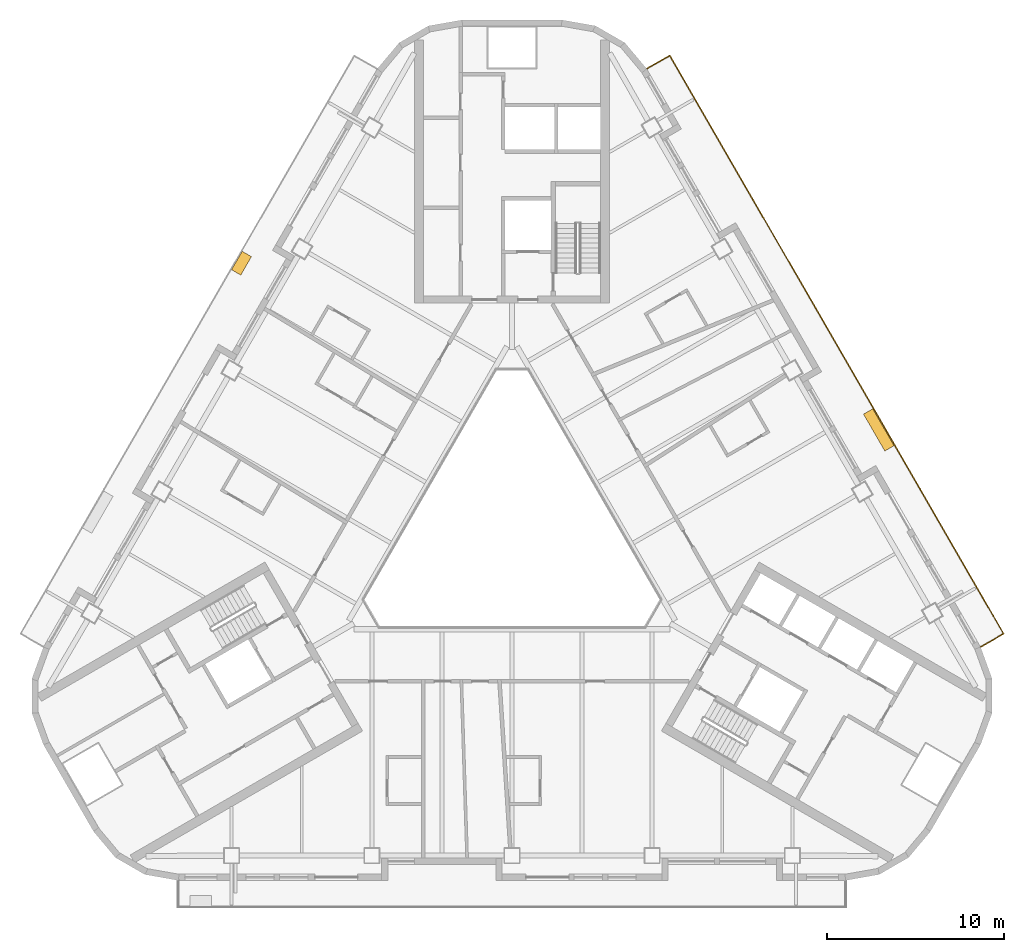
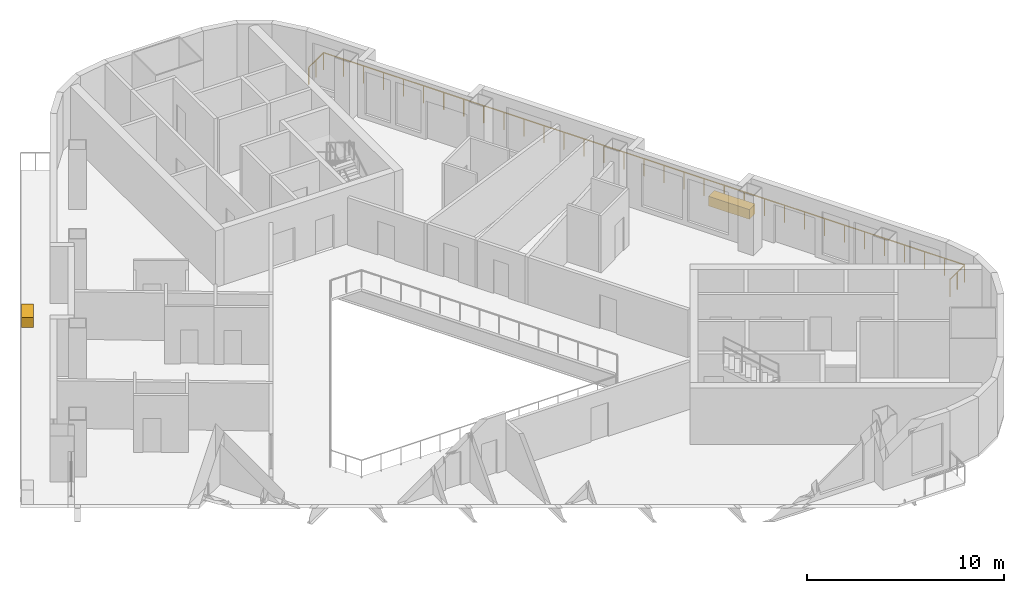
# One storey, part 12 of 13: 2 coverings, 1 railing.
"""IFC4 building model written with IfcOpenShell, lengths in metres."""

from ifc_helpers import new_model, si_unit, direction, frame, origin, origin_2d, place, context, subcontext, project, spatial, rectangle, extrude, material, type_object, element, save


model = new_model("IFC4")

# Units and contexts
model_context = context("Model", 3, precision=1e-05, world=origin(), true_north=direction((0.0, 1.0)))
body_context = subcontext(model_context, "Body", "Model", "MODEL_VIEW")
ifc_project = project(units=[si_unit("LENGTHUNIT", "METRE"), si_unit("AREAUNIT", "SQUARE_METRE"), si_unit("VOLUMEUNIT", "CUBIC_METRE"), si_unit("PLANEANGLEUNIT", "RADIAN"), si_unit("MASSUNIT", "GRAM", prefix="KILO")], contexts=[model_context])

# Site, building, storey
site_placement = place(None, origin())
site = spatial("IfcSite", under=ifc_project, at=site_placement, CompositionType="ELEMENT")
building_placement = place(site_placement, origin())
building = spatial("IfcBuilding", under=site, at=building_placement, Name="Apuvela Tower Hotel", CompositionType="ELEMENT")
storey_placement = place(building_placement, frame((0.0, 0.0, 102.0)))
storey = spatial("IfcBuildingStorey", under=building, at=storey_placement, Name="L23", CompositionType="ELEMENT", Elevation=102.0)

# Railing
ifc_material_1 = material(Name="Stainless steel 316 rail with laminated glass infill", Category="steel")
railing_type = type_object("IfcRailingType", Name="ENV-GUARD-1100", PredefinedType="GUARDRAIL", material=ifc_material_1)
railing_placement = place(storey_placement, frame((26.407958984375, -6.47998046875, 0.0)))
element("IfcRailing", 1, at=railing_placement, inside=storey, type_object=railing_type, Name="Balcony guard NE L23", PredefinedType="GUARDRAIL", context=body_context, shape_type="SweptSolid", body=[
    extrude(rectangle(XDim=0.050048828125, YDim=0.050048828125, at=origin_2d()), frame((0.0, 0.0, 1.0751953125), z_axis=(0.866031096941, 0.499990139034, 0.0), x_axis=(-0.499990139034, 0.866031096941, 0.0)), (0.0, 0.0, 1.0), 1.5),
    extrude(rectangle(XDim=0.050048828125, YDim=0.050048828125, at=origin_2d()), frame((1.299072265625, 0.75, 1.0751953125), z_axis=(-0.500000437506, 0.86602515119, 0.0), x_axis=(-0.86602515119, -0.500000437506, 0.0)), (0.0, 0.0, 1.0), 37.6318359375),
    extrude(rectangle(XDim=0.050048828125, YDim=0.050048828125, at=origin_2d()), frame((-17.516845703125, 33.340087890625, 1.0751953125), z_axis=(-0.86599040064, -0.500060622324, 0.0), x_axis=(0.500060622324, -0.86599040064, 0.0)), (0.0, 0.0, 1.0), 1.499755859375),
    extrude(rectangle(XDim=0.0400390625, YDim=0.0400390625, at=origin_2d()), origin(), (0.0, 0.0, 1.0), 1.050048828125),
    extrude(rectangle(XDim=0.0400390625, YDim=0.0400390625, at=origin_2d()), frame((0.6494140625, 0.375, 0.0)), (0.0, 0.0, 1.0), 1.050048828125),
    extrude(rectangle(XDim=0.0400390625, YDim=0.0400390625, at=origin_2d()), frame((1.299072265625, 0.75, 0.0)), (0.0, 0.0, 1.0), 1.050048828125),
    extrude(rectangle(XDim=0.0400390625, YDim=0.0400390625, at=origin_2d()), frame((0.711181640625, 1.7685546875, 0.0)), (0.0, 0.0, 1.0), 1.050048828125),
    extrude(rectangle(XDim=0.0400390625, YDim=0.0400390625, at=origin_2d()), frame((0.123046875, 2.786865234375, 0.0)), (0.0, 0.0, 1.0), 1.050048828125),
    extrude(rectangle(XDim=0.0400390625, YDim=0.0400390625, at=origin_2d()), frame((-0.46484375, 3.805419921875, 0.0)), (0.0, 0.0, 1.0), 1.050048828125),
    extrude(rectangle(XDim=0.0400390625, YDim=0.0400390625, at=origin_2d()), frame((-1.052978515625, 4.82373046875, 0.0)), (0.0, 0.0, 1.0), 1.050048828125),
    extrude(rectangle(XDim=0.0400390625, YDim=0.0400390625, at=origin_2d()), frame((-1.640869140625, 5.84228515625, 0.0)), (0.0, 0.0, 1.0), 1.050048828125),
    extrude(rectangle(XDim=0.0400390625, YDim=0.0400390625, at=origin_2d()), frame((-2.22900390625, 6.860595703125, 0.0)), (0.0, 0.0, 1.0), 1.050048828125),
    extrude(rectangle(XDim=0.0400390625, YDim=0.0400390625, at=origin_2d()), frame((-2.81689453125, 7.879150390625, 0.0)), (0.0, 0.0, 1.0), 1.050048828125),
    extrude(rectangle(XDim=0.0400390625, YDim=0.0400390625, at=origin_2d()), frame((-3.40478515625, 8.8974609375, 0.0)), (0.0, 0.0, 1.0), 1.050048828125),
    extrude(rectangle(XDim=0.0400390625, YDim=0.0400390625, at=origin_2d()), frame((-3.992919921875, 9.916015625, 0.0)), (0.0, 0.0, 1.0), 1.050048828125),
    extrude(rectangle(XDim=0.0400390625, YDim=0.0400390625, at=origin_2d()), frame((-4.580810546875, 10.934326171875, 0.0)), (0.0, 0.0, 1.0), 1.050048828125),
    extrude(rectangle(XDim=0.0400390625, YDim=0.0400390625, at=origin_2d()), frame((-5.1689453125, 11.952880859375, 0.0)), (0.0, 0.0, 1.0), 1.050048828125),
    extrude(rectangle(XDim=0.0400390625, YDim=0.0400390625, at=origin_2d()), frame((-5.7568359375, 12.97119140625, 0.0)), (0.0, 0.0, 1.0), 1.050048828125),
    extrude(rectangle(XDim=0.0400390625, YDim=0.0400390625, at=origin_2d()), frame((-6.344970703125, 13.98974609375, 0.0)), (0.0, 0.0, 1.0), 1.050048828125),
    extrude(rectangle(XDim=0.0400390625, YDim=0.0400390625, at=origin_2d()), frame((-6.932861328125, 15.008056640625, 0.0)), (0.0, 0.0, 1.0), 1.050048828125),
    extrude(rectangle(XDim=0.0400390625, YDim=0.0400390625, at=origin_2d()), frame((-7.52099609375, 16.026611328125, 0.0)), (0.0, 0.0, 1.0), 1.050048828125),
    extrude(rectangle(XDim=0.0400390625, YDim=0.0400390625, at=origin_2d()), frame((-8.10888671875, 17.044921875, 0.0)), (0.0, 0.0, 1.0), 1.050048828125),
    extrude(rectangle(XDim=0.0400390625, YDim=0.0400390625, at=origin_2d()), frame((-8.69677734375, 18.0634765625, 0.0)), (0.0, 0.0, 1.0), 1.050048828125),
    extrude(rectangle(XDim=0.0400390625, YDim=0.0400390625, at=origin_2d()), frame((-9.284912109375, 19.08203125, 0.0)), (0.0, 0.0, 1.0), 1.050048828125),
    extrude(rectangle(XDim=0.0400390625, YDim=0.0400390625, at=origin_2d()), frame((-9.872802734375, 20.100341796875, 0.0)), (0.0, 0.0, 1.0), 1.050048828125),
    extrude(rectangle(XDim=0.0400390625, YDim=0.0400390625, at=origin_2d()), frame((-10.4609375, 21.118896484375, 0.0)), (0.0, 0.0, 1.0), 1.050048828125),
    extrude(rectangle(XDim=0.0400390625, YDim=0.0400390625, at=origin_2d()), frame((-11.048828125, 22.13720703125, 0.0)), (0.0, 0.0, 1.0), 1.050048828125),
    extrude(rectangle(XDim=0.0400390625, YDim=0.0400390625, at=origin_2d()), frame((-11.636962890625, 23.15576171875, 0.0)), (0.0, 0.0, 1.0), 1.050048828125),
    extrude(rectangle(XDim=0.0400390625, YDim=0.0400390625, at=origin_2d()), frame((-12.224853515625, 24.174072265625, 0.0)), (0.0, 0.0, 1.0), 1.050048828125),
    extrude(rectangle(XDim=0.0400390625, YDim=0.0400390625, at=origin_2d()), frame((-12.81298828125, 25.192626953125, 0.0)), (0.0, 0.0, 1.0), 1.050048828125),
    extrude(rectangle(XDim=0.0400390625, YDim=0.0400390625, at=origin_2d()), frame((-13.40087890625, 26.2109375, 0.0)), (0.0, 0.0, 1.0), 1.050048828125),
    extrude(rectangle(XDim=0.0400390625, YDim=0.0400390625, at=origin_2d()), frame((-13.98876953125, 27.2294921875, 0.0)), (0.0, 0.0, 1.0), 1.050048828125),
    extrude(rectangle(XDim=0.0400390625, YDim=0.0400390625, at=origin_2d()), frame((-14.576904296875, 28.247802734375, 0.0)), (0.0, 0.0, 1.0), 1.050048828125),
    extrude(rectangle(XDim=0.0400390625, YDim=0.0400390625, at=origin_2d()), frame((-15.164794921875, 29.266357421875, 0.0)), (0.0, 0.0, 1.0), 1.050048828125),
    extrude(rectangle(XDim=0.0400390625, YDim=0.0400390625, at=origin_2d()), frame((-15.7529296875, 30.28466796875, 0.0)), (0.0, 0.0, 1.0), 1.050048828125),
    extrude(rectangle(XDim=0.0400390625, YDim=0.0400390625, at=origin_2d()), frame((-16.3408203125, 31.30322265625, 0.0)), (0.0, 0.0, 1.0), 1.050048828125),
    extrude(rectangle(XDim=0.0400390625, YDim=0.0400390625, at=origin_2d()), frame((-16.928955078125, 32.321533203125, 0.0)), (0.0, 0.0, 1.0), 1.050048828125),
    extrude(rectangle(XDim=0.0400390625, YDim=0.0400390625, at=origin_2d()), frame((-17.516845703125, 33.340087890625, 0.0)), (0.0, 0.0, 1.0), 1.050048828125),
    extrude(rectangle(XDim=0.0400390625, YDim=0.0400390625, at=origin_2d()), frame((-18.166259765625, 32.965087890625, 0.0)), (0.0, 0.0, 1.0), 1.050048828125),
    extrude(rectangle(XDim=0.0400390625, YDim=0.0400390625, at=origin_2d()), frame((-18.815673828125, 32.590087890625, 0.0)), (0.0, 0.0, 1.0), 1.050048828125),
])

# Coverings
ifc_material_2 = material(Name="Planting substrate and soil, planted")
covering_type_1 = type_object("IfcCoveringType", Name="ENV-PLANTER-1200x600", PredefinedType="USERDEFINED", material=ifc_material_2)
covering_1_placement = place(storey_placement, frame((-15.24609375, 15.1533203125, 0.0), z_axis=(0.0, 0.0, 1.0), x_axis=(-0.5, -0.866025403784, 0.0)))
element("IfcCovering", 2, at=covering_1_placement, inside=storey, type_object=covering_type_1, Name="Planter NW3", ObjectType="PLANTER", PredefinedType="USERDEFINED", context=body_context, shape_type="SweptSolid", body=[
    extrude(rectangle(XDim=1.199951171875, YDim=0.60009765625, at=origin_2d()), origin(), (0.0, 0.0, 1.0), 0.60009765625),
])
covering_type_2 = type_object("IfcCoveringType", Name="ENV-PLANTER-2400x600", PredefinedType="USERDEFINED", material=ifc_material_2)
covering_2_placement = place(storey_placement, frame((20.6708984375, 5.756591796875, 0.0), z_axis=(0.0, 0.0, 1.0), x_axis=(-0.5, 0.866025403784, 0.0)))
element("IfcCovering", 3, at=covering_2_placement, inside=storey, type_object=covering_type_2, Name="Planter NE2", ObjectType="PLANTER", PredefinedType="USERDEFINED", context=body_context, shape_type="SweptSolid", body=[
    extrude(rectangle(XDim=2.39990234375, YDim=0.60009765625, at=origin_2d()), origin(), (0.0, 0.0, 1.0), 0.60009765625),
])

save(model, "model.ifc")
